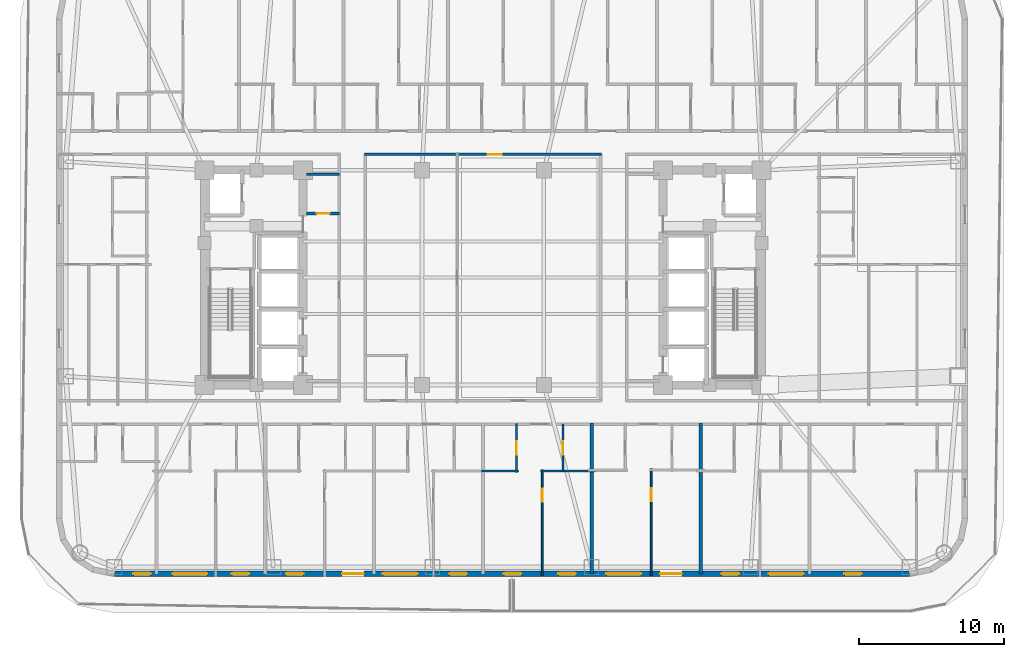
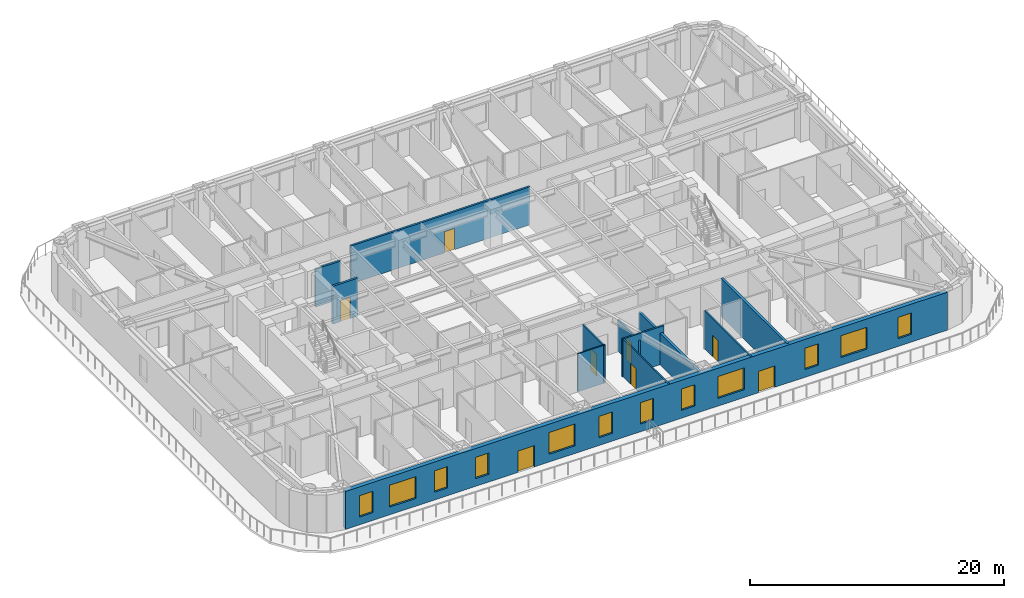
# One storey, part 5 of 16: 12 walls, 12 windows, 8 doors, 20 openings.
"""IFC4 building model written with IfcOpenShell, lengths in metres."""

from ifc_helpers import new_model, si_unit, direction, frame, frame_2d, origin, place, context, subcontext, project, spatial, rectangle, extrude, material, layer, layer_set, type_object, element, fill, save


model = new_model("IFC4")

# Units and contexts
model_context = context("Model", 3, precision=1e-05, world=origin(), true_north=direction((0.0, 1.0)))
body_context = subcontext(model_context, "Body", "Model", "MODEL_VIEW")
ifc_project = project(units=[si_unit("LENGTHUNIT", "METRE"), si_unit("AREAUNIT", "SQUARE_METRE"), si_unit("VOLUMEUNIT", "CUBIC_METRE"), si_unit("PLANEANGLEUNIT", "RADIAN"), si_unit("MASSUNIT", "GRAM", prefix="KILO")], contexts=[model_context])

# Site, building, storey
site_placement = place(None, origin())
site = spatial("IfcSite", under=ifc_project, at=site_placement, CompositionType="ELEMENT")
building_placement = place(site_placement, origin())
building = spatial("IfcBuilding", under=site, at=building_placement, Name="Voryun Gate Residences", CompositionType="ELEMENT")
storey_placement = place(building_placement, frame((0.0, 0.0, 113.10009765625)))
storey = spatial("IfcBuildingStorey", under=building, at=storey_placement, Name="L27", CompositionType="ELEMENT", Elevation=113.10009765625)

# Wall
ifc_material_1 = material(Name="Gypsum acoustic fireboard")
ifc_layer_1 = layer(ifc_material_1, 0.179931640625, Name="W_CORR_RATED_180")
ifc_layer_set_1 = layer_set([ifc_layer_1], Name="Gypsum acoustic fireboard")
wall_type_1 = type_object("IfcWallType", Name="W_CORR_RATED_180", PredefinedType="PARTITIONING", material=ifc_layer_set_1)
wall_1_placement = place(storey_placement, frame((-12.14990234375, 7.1201171875, 0.0), z_axis=(0.0, 0.0, 1.0), x_axis=(1.0, 0.0, 0.0)))
element("IfcWall", 1, at=wall_1_placement, inside=storey, type_object=wall_type_1, Name="Partition wall WP-L27-PLBN-W", PredefinedType="PARTITIONING", context=body_context, shape_type="SweptSolid", body=[
    extrude(rectangle(XDim=2.27001953125, YDim=0.179931640625, at=frame_2d((1.135009765625, 0.0))), origin(), (0.0, 0.0, 1.0), 3.64990234375),
])

# Wall, opening, door
wall_2_placement = place(storey_placement, frame((-8.14990234375, 8.489990234375, 0.0), z_axis=(0.0, 0.0, 1.0), x_axis=(1.0, 0.0, 0.0)))
wall_2 = element("IfcWall", 2, at=wall_2_placement, inside=storey, type_object=wall_type_1, Name="Partition wall WP-L27-Z1N", PredefinedType="PARTITIONING", context=body_context, shape_type="SweptSolid", body=[
    extrude(rectangle(XDim=16.2998046875, YDim=0.179931640625, at=frame_2d((8.14990234375, 0.0))), origin(), (0.0, 0.0, 1.0), 3.64990234375),
])
opening_1_placement = place(wall_2_placement, frame((8.489990234375, 0.0, 0.0)))
opening_1 = element("IfcOpeningElement", 3, at=opening_1_placement, cuts=wall_2, Name="Opening D-INT-1", PredefinedType="OPENING", context=body_context, shape_type="SweptSolid", body=[
    extrude(rectangle(XDim=0.949951171875, YDim=2.050048828125, at=frame_2d((0.47509765625, 1.02490234375))), frame((0.0, 0.099853515625, 0.0), z_axis=(0.0, -1.0, 0.0), x_axis=(1.0, 0.0, 0.0)), (0.0, 0.0, 1.0), 0.199951171875),
])
ifc_material_2 = material(Name="Architectural oak veneer")
door_type_1 = type_object("IfcDoorType", Name="DR_INT_ROOM_950", OperationType="NOTDEFINED", PredefinedType="DOOR", material=ifc_material_2)
door_1_placement = place(opening_1_placement, origin())
door_1 = element("IfcDoor", 4, at=door_1_placement, inside=storey, type_object=door_type_1, Name="Door DR-L27-CMIDZ1N", OperationType="SINGLE_SWING_LEFT", OverallHeight=2.050048828125, OverallWidth=0.949951171875, PredefinedType="DOOR", context=body_context, shape_type="SweptSolid", body=[
    extrude(rectangle(XDim=0.949951171875, YDim=2.050048828125, at=frame_2d((0.47509765625, 1.02490234375))), frame((0.0, 0.02490234375, 0.0), z_axis=(0.0, -1.0, 0.0), x_axis=(1.0, 0.0, 0.0)), (0.0, 0.0, 1.0), 0.050048828125),
])
fill(opening_1, door_1)

# Wall, openings, doors, windows
ifc_material_3 = material(Name="Granite masonry", Category="masonry")
ifc_layer_2 = layer(ifc_material_3, 0.3798828125, Name="W_EXT_GRANITE_380")
ifc_layer_set_2 = layer_set([ifc_layer_2], Name="Granite masonry")
wall_type_2 = type_object("IfcWallType", Name="W_EXT_GRANITE_380", PredefinedType="ELEMENTEDWALL", material=ifc_layer_set_2)
wall_3_placement = place(storey_placement, frame((29.38134765625, -20.409912109375, 0.0), z_axis=(0.0, 0.0, 1.0), x_axis=(-1.0, 0.0, 0.0)))
wall_3 = element("IfcWall", 5, at=wall_3_placement, inside=storey, type_object=wall_type_2, Name="Exterior wall WEXT-L27-01", PredefinedType="ELEMENTEDWALL", context=body_context, shape_type="SweptSolid", body=[
    extrude(rectangle(XDim=54.7626953125, YDim=0.3798828125, at=frame_2d((27.38134765625, 0.0))), origin(), (0.0, 0.0, 1.0), 3.64990234375),
])
opening_2_placement = place(wall_3_placement, frame((15.678955078125, 0.0, 0.0)))
opening_2 = element("IfcOpeningElement", 6, at=opening_2_placement, cuts=wall_3, Name="Opening D-TER-1", PredefinedType="OPENING", context=body_context, shape_type="SweptSolid", body=[
    extrude(rectangle(XDim=1.5, YDim=2.050048828125, at=frame_2d((0.75, 1.02490234375))), frame((0.0, 0.199951171875, 0.0), z_axis=(0.0, -1.0, 0.0), x_axis=(1.0, 0.0, 0.0)), (0.0, 0.0, 1.0), 0.39990234375),
])
opening_3_placement = place(wall_3_placement, frame((7.29541015625, 0.0, 0.75)))
opening_3 = element("IfcOpeningElement", 7, at=opening_3_placement, cuts=wall_3, Name="Opening WN2", PredefinedType="OPENING", context=body_context, shape_type="SweptSolid", body=[
    extrude(rectangle(XDim=2.39990234375, YDim=2.10009765625, at=frame_2d((1.199951171875, 1.050048828125))), frame((0.0, 0.199951171875, 0.0), z_axis=(0.0, -1.0, 0.0), x_axis=(1.0, 0.0, 0.0)), (0.0, 0.0, 1.0), 0.39990234375),
])
opening_4_placement = place(wall_3_placement, frame((18.486083984375, 0.0, 0.75)))
opening_4 = element("IfcOpeningElement", 8, at=opening_4_placement, cuts=wall_3, Name="Opening WN2", PredefinedType="OPENING", context=body_context, shape_type="SweptSolid", body=[
    extrude(rectangle(XDim=2.39990234375, YDim=2.10009765625, at=frame_2d((1.199951171875, 1.050048828125))), frame((0.0, 0.199951171875, 0.0), z_axis=(0.0, -1.0, 0.0), x_axis=(1.0, 0.0, 0.0)), (0.0, 0.0, 1.0), 0.39990234375),
])
opening_5_placement = place(wall_3_placement, frame((33.876708984375, 0.0, 0.75)))
opening_5 = element("IfcOpeningElement", 9, at=opening_5_placement, cuts=wall_3, Name="Opening WN2", PredefinedType="OPENING", context=body_context, shape_type="SweptSolid", body=[
    extrude(rectangle(XDim=2.39990234375, YDim=2.10009765625, at=frame_2d((1.199951171875, 1.050048828125))), frame((0.0, 0.199951171875, 0.0), z_axis=(0.0, -1.0, 0.0), x_axis=(1.0, 0.0, 0.0)), (0.0, 0.0, 1.0), 0.39990234375),
])
opening_6_placement = place(wall_3_placement, frame((48.3671875, 0.0, 0.75)))
opening_6 = element("IfcOpeningElement", 10, at=opening_6_placement, cuts=wall_3, Name="Opening WN2", PredefinedType="OPENING", context=body_context, shape_type="SweptSolid", body=[
    extrude(rectangle(XDim=2.39990234375, YDim=2.10009765625, at=frame_2d((1.199951171875, 1.050048828125))), frame((0.0, 0.199951171875, 0.0), z_axis=(0.0, -1.0, 0.0), x_axis=(1.0, 0.0, 0.0)), (0.0, 0.0, 1.0), 0.39990234375),
])
opening_7_placement = place(wall_3_placement, frame((37.583984375, 0.0, 0.0)))
opening_7 = element("IfcOpeningElement", 11, at=opening_7_placement, cuts=wall_3, Name="Opening D-TER-1", PredefinedType="OPENING", context=body_context, shape_type="SweptSolid", body=[
    extrude(rectangle(XDim=1.5, YDim=2.050048828125, at=frame_2d((0.75, 1.02490234375))), frame((0.0, 0.199951171875, 0.0), z_axis=(0.0, -1.0, 0.0), x_axis=(1.0, 0.0, 0.0)), (0.0, 0.0, 1.0), 0.39990234375),
])
opening_8_placement = place(wall_3_placement, frame((52.27685546875, 0.0, 0.75)))
opening_8 = element("IfcOpeningElement", 12, at=opening_8_placement, cuts=wall_3, Name="Opening WN6", PredefinedType="OPENING", context=body_context, shape_type="SweptSolid", body=[
    extrude(rectangle(XDim=1.199951171875, YDim=2.050048828125, at=frame_2d((0.60009765625, 1.02490234375))), frame((0.0, 0.199951171875, 0.0), z_axis=(0.0, -1.0, 0.0), x_axis=(1.0, 0.0, 0.0)), (0.0, 0.0, 1.0), 0.39990234375),
])
opening_9_placement = place(wall_3_placement, frame((45.486328125, 0.0, 0.75)))
opening_9 = element("IfcOpeningElement", 13, at=opening_9_placement, cuts=wall_3, Name="Opening WN6", PredefinedType="OPENING", context=body_context, shape_type="SweptSolid", body=[
    extrude(rectangle(XDim=1.199951171875, YDim=2.050048828125, at=frame_2d((0.60009765625, 1.02490234375))), frame((0.0, 0.199951171875, 0.0), z_axis=(0.0, -1.0, 0.0), x_axis=(1.0, 0.0, 0.0)), (0.0, 0.0, 1.0), 0.39990234375),
])
opening_10_placement = place(wall_3_placement, frame((41.736328125, 0.0, 0.75)))
opening_10 = element("IfcOpeningElement", 14, at=opening_10_placement, cuts=wall_3, Name="Opening WN6", PredefinedType="OPENING", context=body_context, shape_type="SweptSolid", body=[
    extrude(rectangle(XDim=1.199951171875, YDim=2.050048828125, at=frame_2d((0.60009765625, 1.02490234375))), frame((0.0, 0.199951171875, 0.0), z_axis=(0.0, -1.0, 0.0), x_axis=(1.0, 0.0, 0.0)), (0.0, 0.0, 1.0), 0.39990234375),
])
opening_11_placement = place(wall_3_placement, frame((30.486328125, 0.0, 0.75)))
opening_11 = element("IfcOpeningElement", 15, at=opening_11_placement, cuts=wall_3, Name="Opening WN6", PredefinedType="OPENING", context=body_context, shape_type="SweptSolid", body=[
    extrude(rectangle(XDim=1.199951171875, YDim=2.050048828125, at=frame_2d((0.60009765625, 1.02490234375))), frame((0.0, 0.199951171875, 0.0), z_axis=(0.0, -1.0, 0.0), x_axis=(1.0, 0.0, 0.0)), (0.0, 0.0, 1.0), 0.39990234375),
])
opening_12_placement = place(wall_3_placement, frame((26.736328125, 0.0, 0.75)))
opening_12 = element("IfcOpeningElement", 16, at=opening_12_placement, cuts=wall_3, Name="Opening WN6", PredefinedType="OPENING", context=body_context, shape_type="SweptSolid", body=[
    extrude(rectangle(XDim=1.199951171875, YDim=2.050048828125, at=frame_2d((0.60009765625, 1.02490234375))), frame((0.0, 0.199951171875, 0.0), z_axis=(0.0, -1.0, 0.0), x_axis=(1.0, 0.0, 0.0)), (0.0, 0.0, 1.0), 0.39990234375),
])
opening_13_placement = place(wall_3_placement, frame((22.986328125, 0.0, 0.75)))
opening_13 = element("IfcOpeningElement", 17, at=opening_13_placement, cuts=wall_3, Name="Opening WN6", PredefinedType="OPENING", context=body_context, shape_type="SweptSolid", body=[
    extrude(rectangle(XDim=1.199951171875, YDim=2.050048828125, at=frame_2d((0.60009765625, 1.02490234375))), frame((0.0, 0.199951171875, 0.0), z_axis=(0.0, -1.0, 0.0), x_axis=(1.0, 0.0, 0.0)), (0.0, 0.0, 1.0), 0.39990234375),
])
opening_14_placement = place(wall_3_placement, frame((11.736328125, 0.0, 0.75)))
opening_14 = element("IfcOpeningElement", 18, at=opening_14_placement, cuts=wall_3, Name="Opening WN6", PredefinedType="OPENING", context=body_context, shape_type="SweptSolid", body=[
    extrude(rectangle(XDim=1.199951171875, YDim=2.050048828125, at=frame_2d((0.60009765625, 1.02490234375))), frame((0.0, 0.199951171875, 0.0), z_axis=(0.0, -1.0, 0.0), x_axis=(1.0, 0.0, 0.0)), (0.0, 0.0, 1.0), 0.39990234375),
])
opening_15_placement = place(wall_3_placement, frame((3.28564453125, 0.0, 0.75)))
opening_15 = element("IfcOpeningElement", 19, at=opening_15_placement, cuts=wall_3, Name="Opening WN6", PredefinedType="OPENING", context=body_context, shape_type="SweptSolid", body=[
    extrude(rectangle(XDim=1.199951171875, YDim=2.050048828125, at=frame_2d((0.60009765625, 1.02490234375))), frame((0.0, 0.199951171875, 0.0), z_axis=(0.0, -1.0, 0.0), x_axis=(1.0, 0.0, 0.0)), (0.0, 0.0, 1.0), 0.39990234375),
])
ifc_material_4 = material(Name="Thermally broken aluminium and low-E glass", Category="aluminium")
door_type_2 = type_object("IfcDoorType", Name="DR_TERR_EXIT_1500", OperationType="NOTDEFINED", PredefinedType="DOOR", material=ifc_material_4)
door_2_placement = place(opening_2_placement, origin())
door_2 = element("IfcDoor", 20, at=door_2_placement, inside=storey, type_object=door_type_2, Name="Door DR-L27-OUT-02", OperationType="SLIDING_TO_RIGHT", OverallHeight=2.050048828125, OverallWidth=1.5, PredefinedType="DOOR", context=body_context, shape_type="SweptSolid", body=[
    extrude(rectangle(XDim=1.5, YDim=2.050048828125, at=frame_2d((0.75, 1.02490234375))), frame((0.0, 0.02490234375, 0.0), z_axis=(0.0, -1.0, 0.0), x_axis=(1.0, 0.0, 0.0)), (0.0, 0.0, 1.0), 0.050048828125),
])
fill(opening_2, door_2)
door_3_placement = place(opening_7_placement, origin())
door_3 = element("IfcDoor", 21, at=door_3_placement, inside=storey, type_object=door_type_2, Name="Door DR-L27-OUT-01", OperationType="SLIDING_TO_RIGHT", OverallHeight=2.050048828125, OverallWidth=1.5, PredefinedType="DOOR", context=body_context, shape_type="SweptSolid", body=[
    extrude(rectangle(XDim=1.5, YDim=2.050048828125, at=frame_2d((0.75, 1.02490234375))), frame((0.0, 0.02490234375, 0.0), z_axis=(0.0, -1.0, 0.0), x_axis=(1.0, 0.0, 0.0)), (0.0, 0.0, 1.0), 0.050048828125),
])
fill(opening_7, door_3)
ifc_material_5 = material(Name="Laminated low-E glass", Category="glass")
window_type_1 = type_object("IfcWindowType", Name="WN_POD_SLOT_1200", PartitioningType="SINGLE_PANEL", PredefinedType="WINDOW", material=ifc_material_5)
window_1_placement = place(opening_8_placement, origin())
window_1 = element("IfcWindow", 22, at=window_1_placement, inside=storey, type_object=window_type_1, Name="Window WN-L27-DWFIX-15", OverallHeight=2.050048828125, OverallWidth=1.199951171875, PartitioningType="SINGLE_PANEL", PredefinedType="WINDOW", context=body_context, shape_type="SweptSolid", body=[
    extrude(rectangle(XDim=1.199951171875, YDim=2.050048828125, at=frame_2d((0.60009765625, 1.02490234375))), frame((0.0, 0.030029296875, 0.0), z_axis=(0.0, -1.0, 0.0), x_axis=(1.0, 0.0, 0.0)), (0.0, 0.0, 1.0), 0.06005859375),
])
fill(opening_8, window_1)
window_2_placement = place(opening_9_placement, origin())
window_2 = element("IfcWindow", 23, at=window_2_placement, inside=storey, type_object=window_type_1, Name="Window WN-L27-DWFIX-16", OverallHeight=2.050048828125, OverallWidth=1.199951171875, PartitioningType="SINGLE_PANEL", PredefinedType="WINDOW", context=body_context, shape_type="SweptSolid", body=[
    extrude(rectangle(XDim=1.199951171875, YDim=2.050048828125, at=frame_2d((0.60009765625, 1.02490234375))), frame((0.0, 0.030029296875, 0.0), z_axis=(0.0, -1.0, 0.0), x_axis=(1.0, 0.0, 0.0)), (0.0, 0.0, 1.0), 0.06005859375),
])
fill(opening_9, window_2)
window_3_placement = place(opening_10_placement, origin())
window_3 = element("IfcWindow", 24, at=window_3_placement, inside=storey, type_object=window_type_1, Name="Window WN-L27-DWFIX-17", OverallHeight=2.050048828125, OverallWidth=1.199951171875, PartitioningType="SINGLE_PANEL", PredefinedType="WINDOW", context=body_context, shape_type="SweptSolid", body=[
    extrude(rectangle(XDim=1.199951171875, YDim=2.050048828125, at=frame_2d((0.60009765625, 1.02490234375))), frame((0.0, 0.030029296875, 0.0), z_axis=(0.0, -1.0, 0.0), x_axis=(1.0, 0.0, 0.0)), (0.0, 0.0, 1.0), 0.06005859375),
])
fill(opening_10, window_3)
window_4_placement = place(opening_11_placement, origin())
window_4 = element("IfcWindow", 25, at=window_4_placement, inside=storey, type_object=window_type_1, Name="Window WN-L27-DWFIX-18", OverallHeight=2.050048828125, OverallWidth=1.199951171875, PartitioningType="SINGLE_PANEL", PredefinedType="WINDOW", context=body_context, shape_type="SweptSolid", body=[
    extrude(rectangle(XDim=1.199951171875, YDim=2.050048828125, at=frame_2d((0.60009765625, 1.02490234375))), frame((0.0, 0.030029296875, 0.0), z_axis=(0.0, -1.0, 0.0), x_axis=(1.0, 0.0, 0.0)), (0.0, 0.0, 1.0), 0.06005859375),
])
fill(opening_11, window_4)
window_5_placement = place(opening_12_placement, origin())
window_5 = element("IfcWindow", 26, at=window_5_placement, inside=storey, type_object=window_type_1, Name="Window WN-L27-DWFIX-19", OverallHeight=2.050048828125, OverallWidth=1.199951171875, PartitioningType="SINGLE_PANEL", PredefinedType="WINDOW", context=body_context, shape_type="SweptSolid", body=[
    extrude(rectangle(XDim=1.199951171875, YDim=2.050048828125, at=frame_2d((0.60009765625, 1.02490234375))), frame((0.0, 0.030029296875, 0.0), z_axis=(0.0, -1.0, 0.0), x_axis=(1.0, 0.0, 0.0)), (0.0, 0.0, 1.0), 0.06005859375),
])
fill(opening_12, window_5)
window_6_placement = place(opening_13_placement, origin())
window_6 = element("IfcWindow", 27, at=window_6_placement, inside=storey, type_object=window_type_1, Name="Window WN-L27-DWFIX-20", OverallHeight=2.050048828125, OverallWidth=1.199951171875, PartitioningType="SINGLE_PANEL", PredefinedType="WINDOW", context=body_context, shape_type="SweptSolid", body=[
    extrude(rectangle(XDim=1.199951171875, YDim=2.050048828125, at=frame_2d((0.60009765625, 1.02490234375))), frame((0.0, 0.030029296875, 0.0), z_axis=(0.0, -1.0, 0.0), x_axis=(1.0, 0.0, 0.0)), (0.0, 0.0, 1.0), 0.06005859375),
])
fill(opening_13, window_6)
window_7_placement = place(opening_14_placement, origin())
window_7 = element("IfcWindow", 28, at=window_7_placement, inside=storey, type_object=window_type_1, Name="Window WN-L27-DWFIX-21", OverallHeight=2.050048828125, OverallWidth=1.199951171875, PartitioningType="SINGLE_PANEL", PredefinedType="WINDOW", context=body_context, shape_type="SweptSolid", body=[
    extrude(rectangle(XDim=1.199951171875, YDim=2.050048828125, at=frame_2d((0.60009765625, 1.02490234375))), frame((0.0, 0.030029296875, 0.0), z_axis=(0.0, -1.0, 0.0), x_axis=(1.0, 0.0, 0.0)), (0.0, 0.0, 1.0), 0.06005859375),
])
fill(opening_14, window_7)
window_8_placement = place(opening_15_placement, origin())
window_8 = element("IfcWindow", 29, at=window_8_placement, inside=storey, type_object=window_type_1, Name="Window WN-L27-DWFIX-22", OverallHeight=2.050048828125, OverallWidth=1.199951171875, PartitioningType="SINGLE_PANEL", PredefinedType="WINDOW", context=body_context, shape_type="SweptSolid", body=[
    extrude(rectangle(XDim=1.199951171875, YDim=2.050048828125, at=frame_2d((0.60009765625, 1.02490234375))), frame((0.0, 0.030029296875, 0.0), z_axis=(0.0, -1.0, 0.0), x_axis=(1.0, 0.0, 0.0)), (0.0, 0.0, 1.0), 0.06005859375),
])
fill(opening_15, window_8)
ifc_material_6 = material(Name="Laminated low-E glass", Category="glass")
window_type_2 = type_object("IfcWindowType", Name="WN_RES_WIDE_2400", PartitioningType="SINGLE_PANEL", PredefinedType="WINDOW", material=ifc_material_6)
window_9_placement = place(opening_3_placement, origin())
window_9 = element("IfcWindow", 30, at=window_9_placement, inside=storey, type_object=window_type_2, Name="Window WN-WEXT-L27-01-01", OverallHeight=2.10009765625, OverallWidth=2.39990234375, PartitioningType="SINGLE_PANEL", PredefinedType="WINDOW", context=body_context, shape_type="SweptSolid", body=[
    extrude(rectangle(XDim=2.39990234375, YDim=2.10009765625, at=frame_2d((1.199951171875, 1.050048828125))), frame((0.0, 0.030029296875, 0.0), z_axis=(0.0, -1.0, 0.0), x_axis=(1.0, 0.0, 0.0)), (0.0, 0.0, 1.0), 0.06005859375),
])
fill(opening_3, window_9)
window_10_placement = place(opening_4_placement, origin())
window_10 = element("IfcWindow", 31, at=window_10_placement, inside=storey, type_object=window_type_2, Name="Window WN-WEXT-L27-01-02", OverallHeight=2.10009765625, OverallWidth=2.39990234375, PartitioningType="SINGLE_PANEL", PredefinedType="WINDOW", context=body_context, shape_type="SweptSolid", body=[
    extrude(rectangle(XDim=2.39990234375, YDim=2.10009765625, at=frame_2d((1.199951171875, 1.050048828125))), frame((0.0, 0.030029296875, 0.0), z_axis=(0.0, -1.0, 0.0), x_axis=(1.0, 0.0, 0.0)), (0.0, 0.0, 1.0), 0.06005859375),
])
fill(opening_4, window_10)
window_11_placement = place(opening_5_placement, origin())
window_11 = element("IfcWindow", 32, at=window_11_placement, inside=storey, type_object=window_type_2, Name="Window WN-WEXT-L27-01-03", OverallHeight=2.10009765625, OverallWidth=2.39990234375, PartitioningType="SINGLE_PANEL", PredefinedType="WINDOW", context=body_context, shape_type="SweptSolid", body=[
    extrude(rectangle(XDim=2.39990234375, YDim=2.10009765625, at=frame_2d((1.199951171875, 1.050048828125))), frame((0.0, 0.030029296875, 0.0), z_axis=(0.0, -1.0, 0.0), x_axis=(1.0, 0.0, 0.0)), (0.0, 0.0, 1.0), 0.06005859375),
])
fill(opening_5, window_11)
window_12_placement = place(opening_6_placement, origin())
window_12 = element("IfcWindow", 33, at=window_12_placement, inside=storey, type_object=window_type_2, Name="Window WN-WEXT-L27-01-04", OverallHeight=2.10009765625, OverallWidth=2.39990234375, PartitioningType="SINGLE_PANEL", PredefinedType="WINDOW", context=body_context, shape_type="SweptSolid", body=[
    extrude(rectangle(XDim=2.39990234375, YDim=2.10009765625, at=frame_2d((1.199951171875, 1.050048828125))), frame((0.0, 0.030029296875, 0.0), z_axis=(0.0, -1.0, 0.0), x_axis=(1.0, 0.0, 0.0)), (0.0, 0.0, 1.0), 0.06005859375),
])
fill(opening_6, window_12)

# Wall, opening, door
ifc_material_7 = material(Name="Concrete C40/50", Category="concrete")
ifc_layer_3 = layer(ifc_material_7, 0.199951171875, Name="W_FF_LOBBY_200")
ifc_layer_set_3 = layer_set([ifc_layer_3], Name="Concrete C40/50")
wall_type_3 = type_object("IfcWallType", Name="W_FF_LOBBY_200", PredefinedType="PARTITIONING", material=ifc_layer_set_3)
wall_4_placement = place(storey_placement, frame((-12.14990234375, 4.409912109375, 0.0), z_axis=(0.0, 0.0, 1.0), x_axis=(1.0, 0.0, 0.0)))
wall_4 = element("IfcWall", 34, at=wall_4_placement, inside=storey, type_object=wall_type_3, Name="Partition wall WP-L27-CSFLKS-W", PredefinedType="PARTITIONING", context=body_context, shape_type="SweptSolid", body=[
    extrude(rectangle(XDim=2.27001953125, YDim=0.199951171875, at=frame_2d((1.135009765625, 0.0))), origin(), (0.0, 0.0, 1.0), 3.64990234375),
])
opening_16_placement = place(wall_4_placement, frame((0.68505859375, 0.0, 0.0)))
opening_16 = element("IfcOpeningElement", 35, at=opening_16_placement, cuts=wall_4, Name="Opening D-FD60-4", PredefinedType="OPENING", context=body_context, shape_type="SweptSolid", body=[
    extrude(rectangle(XDim=0.89990234375, YDim=2.050048828125, at=frame_2d((0.449951171875, 1.02490234375))), frame((0.0, 0.110107421875, 0.0), z_axis=(0.0, -1.0, 0.0), x_axis=(1.0, 0.0, 0.0)), (0.0, 0.0, 1.0), 0.219970703125),
])
ifc_material_8 = material(Name="Painted steel fire door", Category="steel")
door_type_3 = type_object("IfcDoorType", Name="DR_FD60_RISER_900", OperationType="NOTDEFINED", PredefinedType="DOOR", material=ifc_material_8)
door_4_placement = place(opening_16_placement, origin())
door_4 = element("IfcDoor", 36, at=door_4_placement, inside=storey, type_object=door_type_3, Name="Door DR-L27-CSFLK-W", OperationType="SINGLE_SWING_LEFT", OverallHeight=2.050048828125, OverallWidth=0.89990234375, PredefinedType="DOOR", context=body_context, shape_type="SweptSolid", body=[
    extrude(rectangle(XDim=0.89990234375, YDim=2.050048828125, at=frame_2d((0.449951171875, 1.02490234375))), frame((0.0, 0.02490234375, 0.0), z_axis=(0.0, -1.0, 0.0), x_axis=(1.0, 0.0, 0.0)), (0.0, 0.0, 1.0), 0.050048828125),
])
fill(opening_16, door_4)

# Walls
ifc_material_9 = material(Name="Concrete C40/50", Category="concrete")
ifc_layer_4 = layer(ifc_material_9, 0.219970703125, Name="W_PARTY_ACOUSTIC_220")
ifc_layer_set_4 = layer_set([ifc_layer_4], Name="Concrete C40/50")
wall_type_4 = type_object("IfcWallType", Name="W_PARTY_ACOUSTIC_220", PredefinedType="PARTITIONING", material=ifc_layer_set_4)
wall_5_placement = place(storey_placement, frame((7.5, -20.409912109375, 0.0), z_axis=(0.0, 0.0, 1.0), x_axis=(0.0, 1.0, 0.0)))
element("IfcWall", 37, at=wall_5_placement, inside=storey, type_object=wall_type_4, Name="Partition wall WP-L27-SPTY-5", PredefinedType="PARTITIONING", context=body_context, shape_type="SweptSolid", body=[
    extrude(rectangle(XDim=10.389892578125, YDim=0.219970703125, at=frame_2d((5.19482421875, 0.0))), origin(), (0.0, 0.0, 1.0), 3.039794921875),
])
wall_6_placement = place(storey_placement, frame((15.0, -20.409912109375, 0.0), z_axis=(0.0, 0.0, 1.0), x_axis=(0.0, 1.0, 0.0)))
element("IfcWall", 38, at=wall_6_placement, inside=storey, type_object=wall_type_4, Name="Partition wall WP-L27-SPTY-6", PredefinedType="PARTITIONING", context=body_context, shape_type="SweptSolid", body=[
    extrude(rectangle(XDim=10.389892578125, YDim=0.219970703125, at=frame_2d((5.19482421875, 0.0))), origin(), (0.0, 0.0, 1.0), 3.64990234375),
])

# Wall, opening, door
ifc_material_10 = material(Name="Gypsum acoustic partition")
ifc_layer_5 = layer(ifc_material_10, 0.125, Name="W_UNIT_PART_125")
ifc_layer_set_5 = layer_set([ifc_layer_5], Name="Gypsum acoustic partition")
wall_type_5 = type_object("IfcWallType", Name="W_UNIT_PART_125", PredefinedType="PARTITIONING", material=ifc_layer_set_5)
wall_7_placement = place(storey_placement, frame((4.090087890625, -20.56005859375, 0.0), z_axis=(0.0, 0.0, 1.0), x_axis=(0.0, 1.0, 0.0)))
wall_7 = element("IfcWall", 39, at=wall_7_placement, inside=storey, type_object=wall_type_5, Name="Partition wall WP-L27-S5-OVR", PredefinedType="PARTITIONING", context=body_context, shape_type="SweptSolid", body=[
    extrude(rectangle(XDim=7.320068359375, YDim=0.125, at=frame_2d((3.66015625, 0.0))), origin(), (0.0, 0.0, 1.0), 3.64990234375),
])
opening_17_placement = place(wall_7_placement, frame((5.11328125, 0.0, 0.0)))
opening_17 = element("IfcOpeningElement", 40, at=opening_17_placement, cuts=wall_7, Name="Opening D-INT-2", PredefinedType="OPENING", context=body_context, shape_type="SweptSolid", body=[
    extrude(rectangle(XDim=0.89990234375, YDim=2.050048828125, at=frame_2d((0.449951171875, 1.02490234375))), frame((0.0, 0.072509765625, 0.0), z_axis=(0.0, -1.0, 0.0), x_axis=(1.0, 0.0, 0.0)), (0.0, 0.0, 1.0), 0.14501953125),
])
ifc_material_11 = material(Name="Architectural oak veneer")
door_type_4 = type_object("IfcDoorType", Name="DR_INT_BATH_900", OperationType="NOTDEFINED", PredefinedType="DOOR", material=ifc_material_11)
door_5_placement = place(opening_17_placement, origin())
door_5 = element("IfcDoor", 41, at=door_5_placement, inside=storey, type_object=door_type_4, Name="Door DR-L27-S5-DMB", OperationType="SINGLE_SWING_RIGHT", OverallHeight=2.050048828125, OverallWidth=0.89990234375, PredefinedType="DOOR", context=body_context, shape_type="SweptSolid", body=[
    extrude(rectangle(XDim=0.89990234375, YDim=2.050048828125, at=frame_2d((0.449951171875, 1.02490234375))), frame((0.0, 0.02490234375, 0.0), z_axis=(0.0, -1.0, 0.0), x_axis=(1.0, 0.0, 0.0)), (0.0, 0.0, 1.0), 0.050048828125),
])
fill(opening_17, door_5)

wall_8_placement = place(storey_placement, frame((2.31005859375, -13.39990234375, 0.0), z_axis=(0.0, 0.0, 1.0), x_axis=(0.0, 1.0, 0.0)))
wall_8 = element("IfcWall", 42, at=wall_8_placement, inside=storey, type_object=wall_type_5, Name="Partition wall WP-L27-S5-IVK", PredefinedType="PARTITIONING", context=body_context, shape_type="SweptSolid", body=[
    extrude(rectangle(XDim=3.31982421875, YDim=0.125, at=frame_2d((1.659912109375, 0.0))), origin(), (0.0, 0.0, 1.0), 3.64990234375),
])
opening_18_placement = place(wall_8_placement, frame((1.18505859375, 0.0, 0.0)))
opening_18 = element("IfcOpeningElement", 43, at=opening_18_placement, cuts=wall_8, Name="Opening D-INT-1", PredefinedType="OPENING", context=body_context, shape_type="SweptSolid", body=[
    extrude(rectangle(XDim=0.949951171875, YDim=2.050048828125, at=frame_2d((0.47509765625, 1.02490234375))), frame((0.0, 0.072509765625, 0.0), z_axis=(0.0, -1.0, 0.0), x_axis=(1.0, 0.0, 0.0)), (0.0, 0.0, 1.0), 0.14501953125),
])
door_6_placement = place(opening_18_placement, origin())
door_6 = element("IfcDoor", 44, at=door_6_placement, inside=storey, type_object=door_type_1, Name="Door DR-L27-S5-DK", OperationType="SINGLE_SWING_LEFT", OverallHeight=2.050048828125, OverallWidth=0.949951171875, PredefinedType="DOOR", context=body_context, shape_type="SweptSolid", body=[
    extrude(rectangle(XDim=0.949951171875, YDim=2.050048828125, at=frame_2d((0.47509765625, 1.02490234375))), frame((0.0, 0.02490234375, 0.0), z_axis=(0.0, -1.0, 0.0), x_axis=(1.0, 0.0, 0.0)), (0.0, 0.0, 1.0), 0.050048828125),
])
fill(opening_18, door_6)

# Wall
wall_9_placement = place(storey_placement, frame((-0.074951171875, -13.320068359375, 0.0), z_axis=(0.0, 0.0, 1.0), x_axis=(1.0, 0.0, 0.0)))
element("IfcWall", 45, at=wall_9_placement, inside=storey, type_object=wall_type_5, Name="Partition wall WP-L27-S5-HZK", PredefinedType="PARTITIONING", context=body_context, shape_type="SweptSolid", body=[
    extrude(rectangle(XDim=2.5048828125, YDim=0.125, at=frame_2d((1.25244140625, 0.0))), origin(), (0.0, 0.0, 1.0), 3.64990234375),
])

# Wall, opening, door
wall_10_placement = place(storey_placement, frame((11.590087890625, -20.56005859375, 0.0), z_axis=(0.0, 0.0, 1.0), x_axis=(0.0, 1.0, 0.0)))
wall_10 = element("IfcWall", 46, at=wall_10_placement, inside=storey, type_object=wall_type_5, Name="Partition wall WP-L27-S6-OVR", PredefinedType="PARTITIONING", context=body_context, shape_type="SweptSolid", body=[
    extrude(rectangle(XDim=7.379150390625, YDim=0.125, at=frame_2d((3.689453125, 0.0))), origin(), (0.0, 0.0, 1.0), 3.64990234375),
])
opening_19_placement = place(wall_10_placement, frame((5.157958984375, 0.0, 0.0)))
opening_19 = element("IfcOpeningElement", 47, at=opening_19_placement, cuts=wall_10, Name="Opening D-INT-2", PredefinedType="OPENING", context=body_context, shape_type="SweptSolid", body=[
    extrude(rectangle(XDim=0.89990234375, YDim=2.050048828125, at=frame_2d((0.449951171875, 1.02490234375))), frame((0.0, 0.072509765625, 0.0), z_axis=(0.0, -1.0, 0.0), x_axis=(1.0, 0.0, 0.0)), (0.0, 0.0, 1.0), 0.14501953125),
])
door_7_placement = place(opening_19_placement, origin())
door_7 = element("IfcDoor", 48, at=door_7_placement, inside=storey, type_object=door_type_4, Name="Door DR-L27-S6-DMB", OperationType="SINGLE_SWING_RIGHT", OverallHeight=2.050048828125, OverallWidth=0.89990234375, PredefinedType="DOOR", context=body_context, shape_type="SweptSolid", body=[
    extrude(rectangle(XDim=0.89990234375, YDim=2.050048828125, at=frame_2d((0.449951171875, 1.02490234375))), frame((0.0, 0.02490234375, 0.0), z_axis=(0.0, -1.0, 0.0), x_axis=(1.0, 0.0, 0.0)), (0.0, 0.0, 1.0), 0.050048828125),
])
fill(opening_19, door_7)

# Wall
ifc_material_12 = material(Name="Gypsum moisture-resistant partition")
ifc_layer_6 = layer(ifc_material_12, 0.14990234375, Name="W_WET_PLUMB_150")
ifc_layer_set_6 = layer_set([ifc_layer_6], Name="Gypsum moisture-resistant partition")
wall_type_6 = type_object("IfcWallType", Name="W_WET_PLUMB_150", PredefinedType="PLUMBINGWALL", material=ifc_layer_set_6)
wall_11_placement = place(storey_placement, frame((3.969970703125, -13.320068359375, 0.0), z_axis=(0.0, 0.0, 1.0), x_axis=(1.0, 0.0, 0.0)))
element("IfcWall", 49, at=wall_11_placement, inside=storey, type_object=wall_type_6, Name="Partition wall WP-L27-S5-HZB", PredefinedType="PLUMBINGWALL", context=body_context, shape_type="SweptSolid", body=[
    extrude(rectangle(XDim=3.7900390625, YDim=0.14990234375, at=frame_2d((1.89501953125, 0.0))), origin(), (0.0, 0.0, 1.0), 3.64990234375),
])

# Wall, opening, door
wall_12_placement = place(storey_placement, frame((5.52001953125, -13.39990234375, 0.0), z_axis=(0.0, 0.0, 1.0), x_axis=(0.0, 1.0, 0.0)))
wall_12 = element("IfcWall", 50, at=wall_12_placement, inside=storey, type_object=wall_type_6, Name="Partition wall WP-L27-S5-IVB", PredefinedType="PLUMBINGWALL", context=body_context, shape_type="SweptSolid", body=[
    extrude(rectangle(XDim=3.31982421875, YDim=0.14990234375, at=frame_2d((1.659912109375, 0.0))), origin(), (0.0, 0.0, 1.0), 3.039794921875),
])
opening_20_placement = place(wall_12_placement, frame((1.2099609375, 0.0, 0.0)))
opening_20 = element("IfcOpeningElement", 51, at=opening_20_placement, cuts=wall_12, Name="Opening D-INT-2", PredefinedType="OPENING", context=body_context, shape_type="SweptSolid", body=[
    extrude(rectangle(XDim=0.89990234375, YDim=2.050048828125, at=frame_2d((0.449951171875, 1.02490234375))), frame((0.0, 0.0849609375, 0.0), z_axis=(0.0, -1.0, 0.0), x_axis=(1.0, 0.0, 0.0)), (0.0, 0.0, 1.0), 0.169921875),
])
door_8_placement = place(opening_20_placement, origin())
door_8 = element("IfcDoor", 52, at=door_8_placement, inside=storey, type_object=door_type_4, Name="Door DR-L27-S5-DB", OperationType="SINGLE_SWING_RIGHT", OverallHeight=2.050048828125, OverallWidth=0.89990234375, PredefinedType="DOOR", context=body_context, shape_type="SweptSolid", body=[
    extrude(rectangle(XDim=0.89990234375, YDim=2.050048828125, at=frame_2d((0.449951171875, 1.02490234375))), frame((0.0, 0.02490234375, 0.0), z_axis=(0.0, -1.0, 0.0), x_axis=(1.0, 0.0, 0.0)), (0.0, 0.0, 1.0), 0.050048828125),
])
fill(opening_20, door_8)

save(model, "model.ifc")
